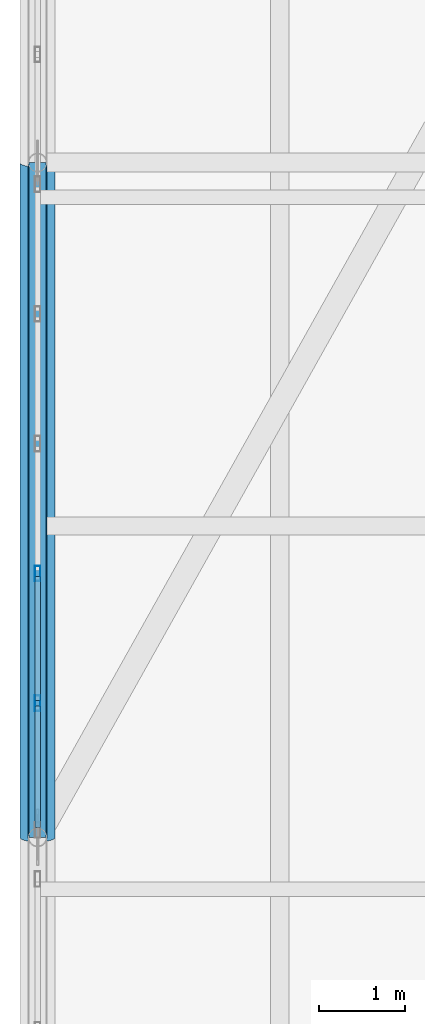
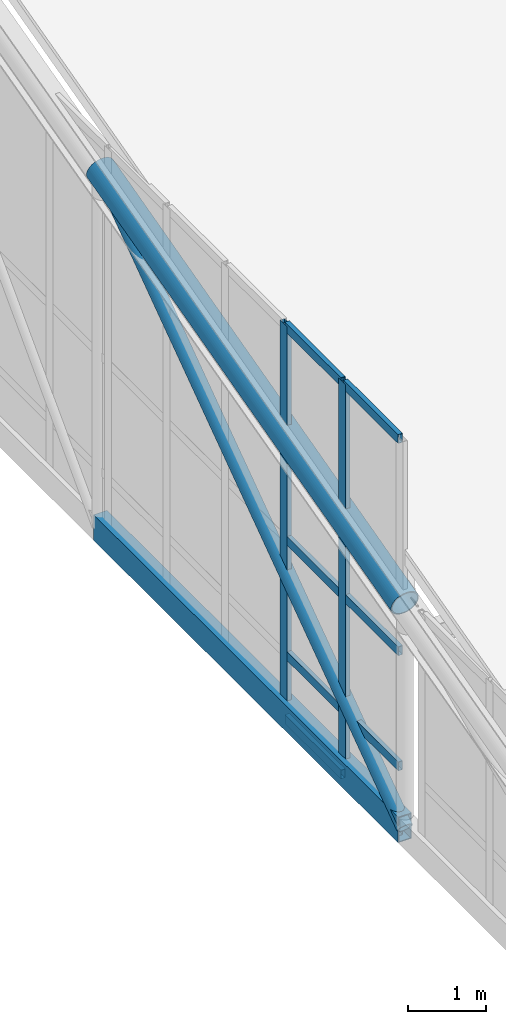
# One storey, part 5 of 43: 13 members, 1 element without a shape of its own.
"""IFC4 building model written with IfcOpenShell, lengths in metres."""

from ifc_helpers import new_model, si_unit, direction, frame, origin, origin_2d, place, context, subcontext, project, spatial, hollow_rectangle, hollow_circle, extrude, material, layer, layer_set, material_profile, profile_set, type_object, element, aggregate, save


model = new_model("IFC4")

# Units and contexts
model_context = context("Model", 3, precision=1e-05, world=origin(), true_north=direction((0.0, 1.0)))
body_context = subcontext(model_context, "Body", "Model", "MODEL_VIEW")
ifc_project = project(units=[si_unit("LENGTHUNIT", "METRE"), si_unit("AREAUNIT", "SQUARE_METRE"), si_unit("VOLUMEUNIT", "CUBIC_METRE"), si_unit("PLANEANGLEUNIT", "RADIAN"), si_unit("MASSUNIT", "GRAM", prefix="KILO")], contexts=[model_context])

# Site, building, storey
site_placement = place(None, origin())
site = spatial("IfcSite", under=ifc_project, at=site_placement, CompositionType="ELEMENT")
building_placement = place(site_placement, origin())
building = spatial("IfcBuilding", under=site, at=building_placement, Name="Selat Folded Stagehouse", CompositionType="ELEMENT")
storey_placement = place(building_placement, frame((0.0, 0.0, 32.39990234375)))
storey = spatial("IfcBuildingStorey", under=building, at=storey_placement, Name="RF", CompositionType="ELEMENT", Elevation=32.39990234375)

# Curtain wall, members
ifc_material_1 = material(Name="Aluminium 6063-T6", Category="aluminium")
ifc_layer = layer(ifc_material_1, 0.169921875)
ifc_layer_set = layer_set([ifc_layer], Name="Aluminium 6063-T6")
curtain_wall_type = type_object("IfcCurtainWallType", Name="CW-CRN-CLER", PredefinedType="NOTDEFINED", material=ifc_layer_set)
curtain_wall_placement = place(storey_placement, origin())
curtain_wall = element("IfcCurtainWall", 1, at=curtain_wall_placement, inside=storey, type_object=curtain_wall_type, Name="RF curtain wall CW-RF-W-01", PredefinedType="NOTDEFINED")
ifc_material_profile_1 = material_profile(ifc_material_1, hollow_rectangle(XDim=0.06494140625, YDim=0.179931640625, WallThickness=0.00390625, at=origin_2d()), Name="ALU 180x65x4.0")
ifc_profile_set_1 = profile_set([ifc_material_profile_1], Name="Aluminium 6063-T6")
member_type_1 = type_object("IfcMemberType", Name="CWM-MUL-180x65", PredefinedType="MULLION", material=ifc_profile_set_1)
member_1_placement = place(storey_placement, frame((8.39990234375, 32.75, 0.0), z_axis=(0.0, 0.0, 1.0), x_axis=(-1.0, 0.0, 0.0)))
member_1 = element("IfcMember", 2, at=member_1_placement, type_object=member_type_1, Name="CW-09 mullion 2", PredefinedType="MULLION", context=body_context, shape_type="SweptSolid", body=[
    extrude(hollow_rectangle(XDim=0.06494140625, YDim=0.179931640625, WallThickness=0.00390625, at=origin_2d()), origin(), (0.0, 0.0, 1.0), 6.2001953125),
])
member_2_placement = place(storey_placement, frame((8.39990234375, 34.25, 0.0), z_axis=(0.0, 0.0, 1.0), x_axis=(-1.0, 0.0, 0.0)))
member_2 = element("IfcMember", 3, at=member_2_placement, type_object=member_type_1, Name="CW-09 mullion 3", PredefinedType="MULLION", context=body_context, shape_type="SweptSolid", body=[
    extrude(hollow_rectangle(XDim=0.06494140625, YDim=0.179931640625, WallThickness=0.00390625, at=origin_2d()), origin(), (0.0, 0.0, 1.0), 6.2001953125),
])
ifc_material_profile_2 = material_profile(ifc_material_1, hollow_rectangle(XDim=0.06494140625, YDim=0.139892578125, WallThickness=0.00390625, at=origin_2d()), Name="ALU 140x65x4.0")
ifc_profile_set_2 = profile_set([ifc_material_profile_2], Name="Aluminium 6063-T6")
member_type_2 = type_object("IfcMemberType", Name="CWM-TRN-140x65", PredefinedType="USERDEFINED", material=ifc_profile_set_2)
member_3_placement = place(storey_placement, frame((8.39990234375, 31.31494140625, 0.03271484375), z_axis=(0.0, 1.0, 0.0), x_axis=(-1.0, 0.0, 0.0)))
member_3 = element("IfcMember", 4, at=member_3_placement, type_object=member_type_2, Name="CW-09 transom 1.1", ObjectType="TRANSOM", PredefinedType="USERDEFINED", context=body_context, shape_type="SweptSolid", body=[
    extrude(hollow_rectangle(XDim=0.06494140625, YDim=0.139892578125, WallThickness=0.00390625, at=origin_2d()), origin(), (0.0, 0.0, 1.0), 1.402587890625),
])
member_4_placement = place(storey_placement, frame((8.39990234375, 31.31494140625, 1.050048828125), z_axis=(0.0, 1.0, 0.0), x_axis=(-1.0, 0.0, 0.0)))
member_4 = element("IfcMember", 5, at=member_4_placement, type_object=member_type_2, Name="CW-09 transom 1.2", ObjectType="TRANSOM", PredefinedType="USERDEFINED", context=body_context, shape_type="SweptSolid", body=[
    extrude(hollow_rectangle(XDim=0.06494140625, YDim=0.139892578125, WallThickness=0.00390625, at=origin_2d()), origin(), (0.0, 0.0, 1.0), 1.402587890625),
])
member_5_placement = place(storey_placement, frame((8.39990234375, 31.31494140625, 2.85009765625), z_axis=(0.0, 1.0, 0.0), x_axis=(-1.0, 0.0, 0.0)))
member_5 = element("IfcMember", 6, at=member_5_placement, type_object=member_type_2, Name="CW-09 transom 1.3", ObjectType="TRANSOM", PredefinedType="USERDEFINED", context=body_context, shape_type="SweptSolid", body=[
    extrude(hollow_rectangle(XDim=0.06494140625, YDim=0.139892578125, WallThickness=0.00390625, at=origin_2d()), origin(), (0.0, 0.0, 1.0), 1.402587890625),
])
member_6_placement = place(storey_placement, frame((8.39990234375, 31.31494140625, 6.16748046875), z_axis=(0.0, 1.0, 0.0), x_axis=(-1.0, 0.0, 0.0)))
member_6 = element("IfcMember", 7, at=member_6_placement, type_object=member_type_2, Name="CW-09 transom 1.4", ObjectType="TRANSOM", PredefinedType="USERDEFINED", context=body_context, shape_type="SweptSolid", body=[
    extrude(hollow_rectangle(XDim=0.06494140625, YDim=0.139892578125, WallThickness=0.00390625, at=origin_2d()), origin(), (0.0, 0.0, 1.0), 1.402587890625),
])
member_7_placement = place(storey_placement, frame((8.39990234375, 32.782470703125, 0.03271484375), z_axis=(0.0, 1.0, 0.0), x_axis=(-1.0, 0.0, 0.0)))
member_7 = element("IfcMember", 8, at=member_7_placement, type_object=member_type_2, Name="CW-09 transom 2.1", ObjectType="TRANSOM", PredefinedType="USERDEFINED", context=body_context, shape_type="SweptSolid", body=[
    extrude(hollow_rectangle(XDim=0.06494140625, YDim=0.139892578125, WallThickness=0.00390625, at=origin_2d()), origin(), (0.0, 0.0, 1.0), 1.43505859375),
])
member_8_placement = place(storey_placement, frame((8.39990234375, 32.782470703125, 1.050048828125), z_axis=(0.0, 1.0, 0.0), x_axis=(-1.0, 0.0, 0.0)))
member_8 = element("IfcMember", 9, at=member_8_placement, type_object=member_type_2, Name="CW-09 transom 2.2", ObjectType="TRANSOM", PredefinedType="USERDEFINED", context=body_context, shape_type="SweptSolid", body=[
    extrude(hollow_rectangle(XDim=0.06494140625, YDim=0.139892578125, WallThickness=0.00390625, at=origin_2d()), origin(), (0.0, 0.0, 1.0), 1.43505859375),
])
member_9_placement = place(storey_placement, frame((8.39990234375, 32.782470703125, 2.85009765625), z_axis=(0.0, 1.0, 0.0), x_axis=(-1.0, 0.0, 0.0)))
member_9 = element("IfcMember", 10, at=member_9_placement, type_object=member_type_2, Name="CW-09 transom 2.3", ObjectType="TRANSOM", PredefinedType="USERDEFINED", context=body_context, shape_type="SweptSolid", body=[
    extrude(hollow_rectangle(XDim=0.06494140625, YDim=0.139892578125, WallThickness=0.00390625, at=origin_2d()), origin(), (0.0, 0.0, 1.0), 1.43505859375),
])
member_10_placement = place(storey_placement, frame((8.39990234375, 32.782470703125, 6.16748046875), z_axis=(0.0, 1.0, 0.0), x_axis=(-1.0, 0.0, 0.0)))
member_10 = element("IfcMember", 11, at=member_10_placement, type_object=member_type_2, Name="CW-09 transom 2.4", ObjectType="TRANSOM", PredefinedType="USERDEFINED", context=body_context, shape_type="SweptSolid", body=[
    extrude(hollow_rectangle(XDim=0.06494140625, YDim=0.139892578125, WallThickness=0.00390625, at=origin_2d()), origin(), (0.0, 0.0, 1.0), 1.43505859375),
])
aggregate(curtain_wall, [member_1, member_2, member_3, member_4, member_5, member_6, member_7, member_8, member_9, member_10])

# Members
ifc_material_2 = material(Name="Steel S355", Category="steel")
ifc_material_profile_3 = material_profile(ifc_material_2, hollow_circle(Radius=0.109619140625, WallThickness=0.010009765625, at=origin_2d()), Name="CHS 219.1x10.0")
ifc_profile_set_3 = profile_set([ifc_material_profile_3], Name="Steel S355")
member_type_3 = type_object("IfcMemberType", Name="MEM-BRACE-CHS219", PredefinedType="BRACE", material=ifc_profile_set_3)
member_11_placement = place(storey_placement, frame((8.39990234375, 31.199951171875, 0.150146484375), z_axis=(0.0, 0.813513193396, 0.581546459168), x_axis=(-1.0, 0.0, 0.0)))
element("IfcMember", 12, at=member_11_placement, inside=storey, type_object=member_type_3, Name="Folded-plate web diagonal 1.2", PredefinedType="BRACE", context=body_context, shape_type="SweptSolid", body=[
    extrude(hollow_circle(Radius=0.109619140625, WallThickness=0.010009765625, at=origin_2d()), origin(), (0.0, 0.0, 1.0), 9.588134765625),
])
ifc_material_profile_4 = material_profile(ifc_material_2, hollow_circle(Radius=0.203125, WallThickness=0.01611328125, at=origin_2d()), Name="CHS 406.4x16.0")
ifc_profile_set_4 = profile_set([ifc_material_profile_4], Name="Steel S355")
member_type_4 = type_object("IfcMemberType", Name="MEM-CHORD-CHS406", PredefinedType="CHORD", material=ifc_profile_set_4)
member_12_placement = place(storey_placement, frame((8.39990234375, 31.199951171875, 3.66552734375), z_axis=(0.0, 0.966833028455, 0.255409269779), x_axis=(-1.0, 0.0, 0.0)))
element("IfcMember", 13, at=member_12_placement, inside=storey, type_object=member_type_4, Name="Folded-plate top chord 1.2", PredefinedType="CHORD", context=body_context, shape_type="SweptSolid", body=[
    extrude(hollow_circle(Radius=0.203125, WallThickness=0.01611328125, at=origin_2d()), origin(), (0.0, 0.0, 1.0), 8.067626953125),
])
ifc_material_profile_5 = material_profile(ifc_material_2, hollow_rectangle(XDim=0.199951171875, YDim=0.39990234375, WallThickness=0.012451171875, at=origin_2d()), Name="RHS 400x200x12.5")
ifc_profile_set_5 = profile_set([ifc_material_profile_5], Name="Steel S355")
member_type_5 = type_object("IfcMemberType", Name="MEM-CHORD-RHS400", PredefinedType="CHORD", material=ifc_profile_set_5)
member_13_placement = place(storey_placement, frame((8.39990234375, 31.199951171875, 0.150146484375), z_axis=(0.0, 1.0, 0.0), x_axis=(-1.0, 0.0, 0.0)))
element("IfcMember", 14, at=member_13_placement, inside=storey, type_object=member_type_5, Name="Folded-plate bottom tie 1.2", PredefinedType="CHORD", context=body_context, shape_type="SweptSolid", body=[
    extrude(hollow_rectangle(XDim=0.199951171875, YDim=0.39990234375, WallThickness=0.012451171875, at=origin_2d()), origin(), (0.0, 0.0, 1.0), 7.800048828125),
])

save(model, "model.ifc")
